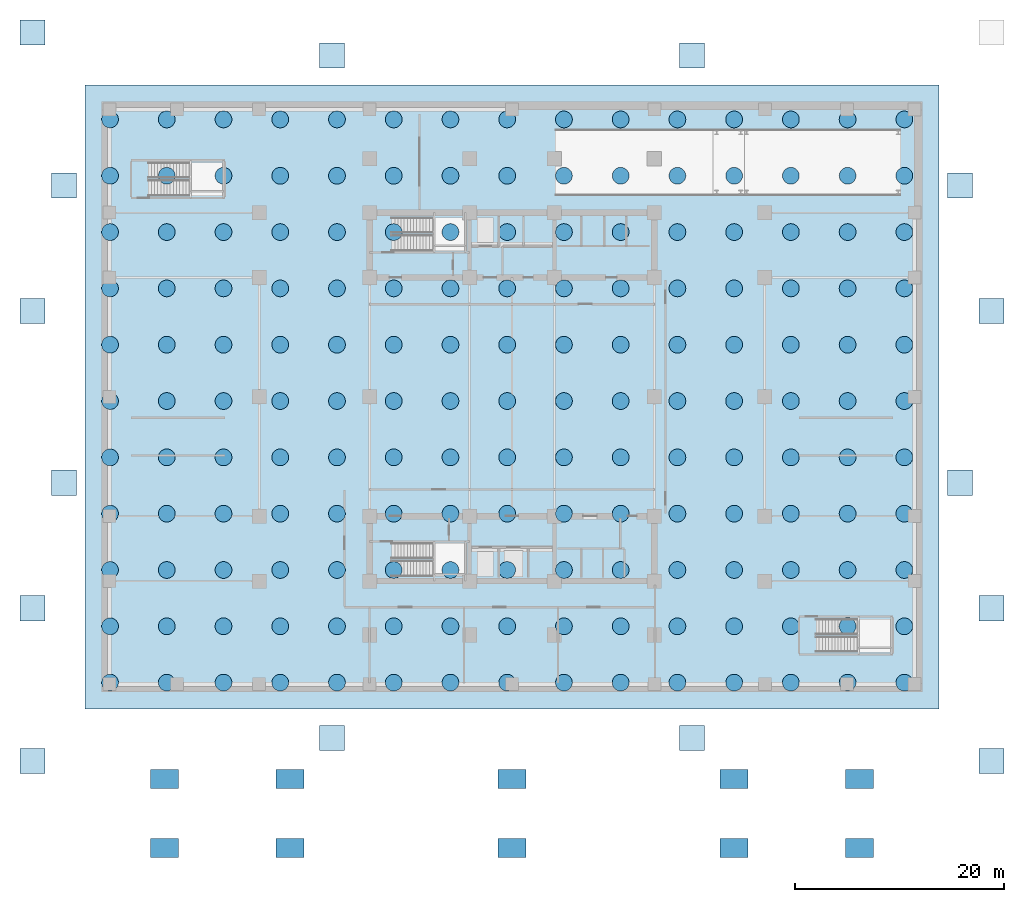
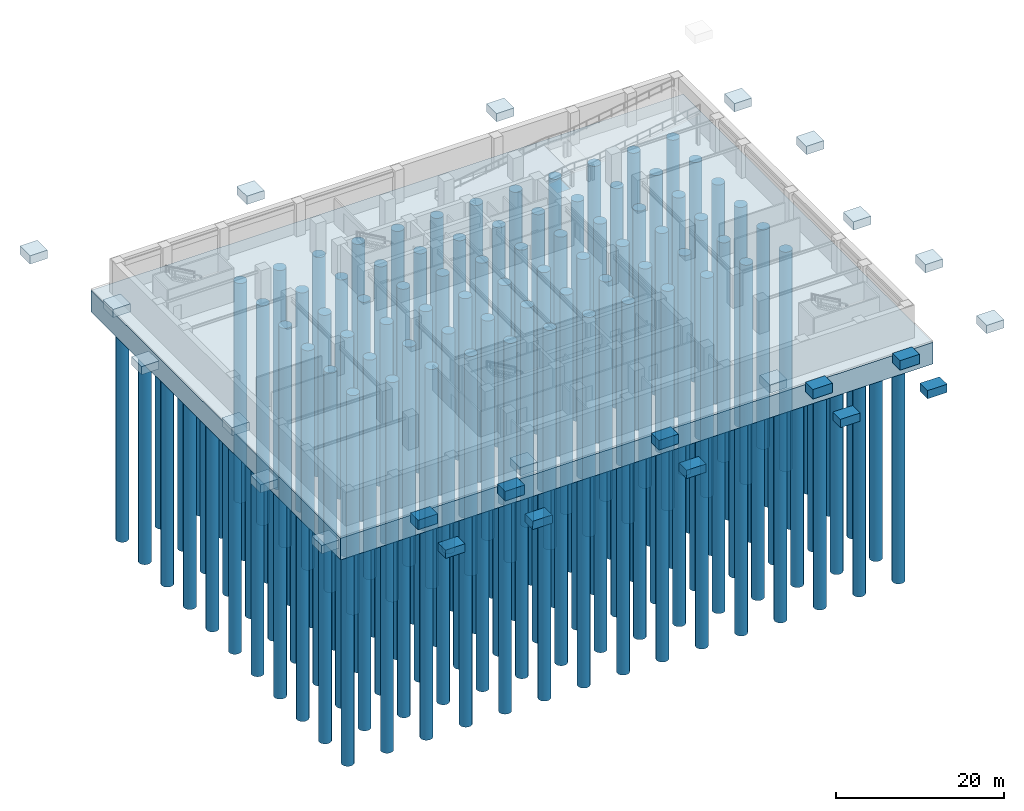
# One storey, part 1 of 13: 165 piles, 26 footings.
"""IFC4 building model written with IfcOpenShell, lengths in metres."""

from ifc_helpers import new_model, si_unit, direction, frame, origin, origin_2d, place, context, subcontext, project, spatial, polyline, circle, outline, extrude, material, material_profile, profile_set, type_object, element, save


model = new_model("IFC4")

# Units and contexts
model_context = context("Model", 3, precision=1e-05, world=origin(), true_north=direction((0.0, 1.0)))
body_context = subcontext(model_context, "Body", "Model", "MODEL_VIEW")
ifc_project = project(units=[si_unit("LENGTHUNIT", "METRE"), si_unit("AREAUNIT", "SQUARE_METRE"), si_unit("VOLUMEUNIT", "CUBIC_METRE"), si_unit("PLANEANGLEUNIT", "RADIAN"), si_unit("MASSUNIT", "GRAM", prefix="KILO")], contexts=[model_context])

# Site, building, storey
site_placement = place(None, origin())
site = spatial("IfcSite", under=ifc_project, at=site_placement, CompositionType="ELEMENT")
building_placement = place(site_placement, origin())
building = spatial("IfcBuilding", under=site, at=building_placement, Name="Svetorya Sky Lyceum", CompositionType="ELEMENT")
storey_placement = place(building_placement, frame((0.0, 0.0, -4.800048828125)))
storey = spatial("IfcBuildingStorey", under=building, at=storey_placement, Name="B01", CompositionType="ELEMENT", Elevation=-4.800048828125)

# Footings
ifc_material_1 = material(Name="Concrete C50/60", Category="concrete")
footing_type_1 = type_object("IfcFootingType", Name="FT-MAT-3400", PredefinedType="PILE_CAP", material=ifc_material_1)
footing_1_placement = place(storey_placement, frame((0.0, 0.0, -3.39990234375)))
element("IfcFooting", 1, at=footing_1_placement, inside=storey, type_object=footing_type_1, Name="Monolithic Piled Mat Cap MAT-1", PredefinedType="PILE_CAP", context=body_context, shape_type="SweptSolid", body=[
    extrude(outline(polyline([(-1.60009765625, -1.60009765625), (80.0, -1.60009765625), (80.0, 58.0), (-1.60009765625, 58.0), (-1.60009765625, -1.60009765625)])), origin(), (0.0, 0.0, 1.0), 3.159912109375),
])
ifc_material_2 = material(Name="Concrete C40/50", Category="concrete")
footing_type_2 = type_object("IfcFootingType", Name="FT-PAD-240", PredefinedType="PAD_FOOTING", material=ifc_material_2)
footing_2_placement = place(storey_placement, frame((0.0, 0.0, 3.420166015625)))
element("IfcFooting", 2, at=footing_2_placement, inside=storey, type_object=footing_type_2, Name="Plaza Frost Support Pad S-1", PredefinedType="PAD_FOOTING", context=body_context, shape_type="SweptSolid", body=[
    extrude(outline(polyline([(-7.800048828125, -7.800048828125), (-5.39990234375, -7.800048828125), (-5.39990234375, -5.39990234375), (-7.800048828125, -5.39990234375), (-7.800048828125, -7.800048828125)])), origin(), (0.0, 0.0, 1.0), 1.199951171875),
])
footing_3_placement = place(storey_placement, frame((0.0, 0.0, 3.420166015625)))
element("IfcFooting", 3, at=footing_3_placement, inside=storey, type_object=footing_type_2, Name="Plaza Frost Support Pad S-2", PredefinedType="PAD_FOOTING", context=body_context, shape_type="SweptSolid", body=[
    extrude(outline(polyline([(20.800048828125, -5.60009765625), (23.199951171875, -5.60009765625), (23.199951171875, -3.199951171875), (20.800048828125, -3.199951171875), (20.800048828125, -5.60009765625)])), origin(), (0.0, 0.0, 1.0), 1.199951171875),
])
footing_4_placement = place(storey_placement, frame((0.0, 0.0, 3.420166015625)))
element("IfcFooting", 4, at=footing_4_placement, inside=storey, type_object=footing_type_2, Name="Plaza Frost Support Pad S-3", PredefinedType="PAD_FOOTING", context=body_context, shape_type="SweptSolid", body=[
    extrude(outline(polyline([(55.199951171875, -5.60009765625), (57.60009765625, -5.60009765625), (57.60009765625, -3.199951171875), (55.199951171875, -3.199951171875), (55.199951171875, -5.60009765625)])), origin(), (0.0, 0.0, 1.0), 1.199951171875),
])
footing_5_placement = place(storey_placement, frame((0.0, 0.0, 3.420166015625)))
element("IfcFooting", 5, at=footing_5_placement, inside=storey, type_object=footing_type_2, Name="Plaza Frost Support Pad S-4", PredefinedType="PAD_FOOTING", context=body_context, shape_type="SweptSolid", body=[
    extrude(outline(polyline([(83.800048828125, -7.800048828125), (86.199951171875, -7.800048828125), (86.199951171875, -5.39990234375), (83.800048828125, -5.39990234375), (83.800048828125, -7.800048828125)])), origin(), (0.0, 0.0, 1.0), 1.199951171875),
])
footing_6_placement = place(storey_placement, frame((0.0, 0.0, 3.420166015625)))
element("IfcFooting", 6, at=footing_6_placement, inside=storey, type_object=footing_type_2, Name="Plaza Frost Support Pad N-1", PredefinedType="PAD_FOOTING", context=body_context, shape_type="SweptSolid", body=[
    extrude(outline(polyline([(-7.800048828125, 61.800048828125), (-5.39990234375, 61.800048828125), (-5.39990234375, 64.199951171875), (-7.800048828125, 64.199951171875), (-7.800048828125, 61.800048828125)])), origin(), (0.0, 0.0, 1.0), 1.199951171875),
])
footing_7_placement = place(storey_placement, frame((0.0, 0.0, 3.420166015625)))
element("IfcFooting", 7, at=footing_7_placement, inside=storey, type_object=footing_type_2, Name="Plaza Frost Support Pad N-2", PredefinedType="PAD_FOOTING", context=body_context, shape_type="SweptSolid", body=[
    extrude(outline(polyline([(20.800048828125, 59.60009765625), (23.199951171875, 59.60009765625), (23.199951171875, 62.0), (20.800048828125, 62.0), (20.800048828125, 59.60009765625)])), origin(), (0.0, 0.0, 1.0), 1.199951171875),
])
footing_8_placement = place(storey_placement, frame((0.0, 0.0, 3.420166015625)))
element("IfcFooting", 8, at=footing_8_placement, inside=storey, type_object=footing_type_2, Name="Plaza Frost Support Pad N-3", PredefinedType="PAD_FOOTING", context=body_context, shape_type="SweptSolid", body=[
    extrude(outline(polyline([(55.199951171875, 59.60009765625), (57.60009765625, 59.60009765625), (57.60009765625, 62.0), (55.199951171875, 62.0), (55.199951171875, 59.60009765625)])), origin(), (0.0, 0.0, 1.0), 1.199951171875),
])
footing_9_placement = place(storey_placement, frame((0.0, 0.0, 3.420166015625)))
element("IfcFooting", 9, at=footing_9_placement, inside=storey, type_object=footing_type_2, Name="Plaza Frost Support Pad W-1", PredefinedType="PAD_FOOTING", context=body_context, shape_type="SweptSolid", body=[
    extrude(outline(polyline([(-7.800048828125, 6.800048828125), (-5.39990234375, 6.800048828125), (-5.39990234375, 9.199951171875), (-7.800048828125, 9.199951171875), (-7.800048828125, 6.800048828125)])), origin(), (0.0, 0.0, 1.0), 1.199951171875),
])
footing_10_placement = place(storey_placement, frame((0.0, 0.0, 3.420166015625)))
element("IfcFooting", 10, at=footing_10_placement, inside=storey, type_object=footing_type_2, Name="Plaza Frost Support Pad W-2", PredefinedType="PAD_FOOTING", context=body_context, shape_type="SweptSolid", body=[
    extrude(outline(polyline([(-4.800048828125, 18.800048828125), (-2.39990234375, 18.800048828125), (-2.39990234375, 21.199951171875), (-4.800048828125, 21.199951171875), (-4.800048828125, 18.800048828125)])), origin(), (0.0, 0.0, 1.0), 1.199951171875),
])
footing_11_placement = place(storey_placement, frame((0.0, 0.0, 3.420166015625)))
element("IfcFooting", 11, at=footing_11_placement, inside=storey, type_object=footing_type_2, Name="Plaza Frost Support Pad W-3", PredefinedType="PAD_FOOTING", context=body_context, shape_type="SweptSolid", body=[
    extrude(outline(polyline([(-7.800048828125, 35.199951171875), (-5.39990234375, 35.199951171875), (-5.39990234375, 37.60009765625), (-7.800048828125, 37.60009765625), (-7.800048828125, 35.199951171875)])), origin(), (0.0, 0.0, 1.0), 1.199951171875),
])
footing_12_placement = place(storey_placement, frame((0.0, 0.0, 3.420166015625)))
element("IfcFooting", 12, at=footing_12_placement, inside=storey, type_object=footing_type_2, Name="Plaza Frost Support Pad W-4", PredefinedType="PAD_FOOTING", context=body_context, shape_type="SweptSolid", body=[
    extrude(outline(polyline([(-4.800048828125, 47.199951171875), (-2.39990234375, 47.199951171875), (-2.39990234375, 49.60009765625), (-4.800048828125, 49.60009765625), (-4.800048828125, 47.199951171875)])), origin(), (0.0, 0.0, 1.0), 1.199951171875),
])
footing_13_placement = place(storey_placement, frame((0.0, 0.0, 3.420166015625)))
element("IfcFooting", 13, at=footing_13_placement, inside=storey, type_object=footing_type_2, Name="Plaza Frost Support Pad E-1", PredefinedType="PAD_FOOTING", context=body_context, shape_type="SweptSolid", body=[
    extrude(outline(polyline([(83.800048828125, 6.800048828125), (86.199951171875, 6.800048828125), (86.199951171875, 9.199951171875), (83.800048828125, 9.199951171875), (83.800048828125, 6.800048828125)])), origin(), (0.0, 0.0, 1.0), 1.199951171875),
])
footing_14_placement = place(storey_placement, frame((0.0, 0.0, 3.420166015625)))
element("IfcFooting", 14, at=footing_14_placement, inside=storey, type_object=footing_type_2, Name="Plaza Frost Support Pad E-2", PredefinedType="PAD_FOOTING", context=body_context, shape_type="SweptSolid", body=[
    extrude(outline(polyline([(80.800048828125, 18.800048828125), (83.199951171875, 18.800048828125), (83.199951171875, 21.199951171875), (80.800048828125, 21.199951171875), (80.800048828125, 18.800048828125)])), origin(), (0.0, 0.0, 1.0), 1.199951171875),
])
footing_15_placement = place(storey_placement, frame((0.0, 0.0, 3.420166015625)))
element("IfcFooting", 15, at=footing_15_placement, inside=storey, type_object=footing_type_2, Name="Plaza Frost Support Pad E-3", PredefinedType="PAD_FOOTING", context=body_context, shape_type="SweptSolid", body=[
    extrude(outline(polyline([(83.800048828125, 35.199951171875), (86.199951171875, 35.199951171875), (86.199951171875, 37.60009765625), (83.800048828125, 37.60009765625), (83.800048828125, 35.199951171875)])), origin(), (0.0, 0.0, 1.0), 1.199951171875),
])
footing_16_placement = place(storey_placement, frame((0.0, 0.0, 3.420166015625)))
element("IfcFooting", 16, at=footing_16_placement, inside=storey, type_object=footing_type_2, Name="Plaza Frost Support Pad E-4", PredefinedType="PAD_FOOTING", context=body_context, shape_type="SweptSolid", body=[
    extrude(outline(polyline([(80.800048828125, 47.199951171875), (83.199951171875, 47.199951171875), (83.199951171875, 49.60009765625), (80.800048828125, 49.60009765625), (80.800048828125, 47.199951171875)])), origin(), (0.0, 0.0, 1.0), 1.199951171875),
])
footing_type_3 = type_object("IfcFootingType", Name="FT-PAD-270A", PredefinedType="PAD_FOOTING", material=ifc_material_2)
footing_17_placement = place(storey_placement, frame((0.0, 0.0, 3.25)))
element("IfcFooting", 17, at=footing_17_placement, inside=storey, type_object=footing_type_3, Name="Approach Ramp Toe Frost Pad PF-2.1", PredefinedType="PAD_FOOTING", context=body_context, shape_type="SweptSolid", body=[
    extrude(outline(polyline([(4.64990234375, -15.800048828125), (7.35009765625, -15.800048828125), (7.35009765625, -14.0), (4.64990234375, -14.0), (4.64990234375, -15.800048828125)])), origin(), (0.0, 0.0, 1.0), 1.199951171875),
])
footing_18_placement = place(storey_placement, frame((0.0, 0.0, 3.25)))
element("IfcFooting", 18, at=footing_18_placement, inside=storey, type_object=footing_type_3, Name="Approach Ramp Toe Frost Pad PF-2.2", PredefinedType="PAD_FOOTING", context=body_context, shape_type="SweptSolid", body=[
    extrude(outline(polyline([(16.64990234375, -15.800048828125), (19.35009765625, -15.800048828125), (19.35009765625, -14.0), (16.64990234375, -14.0), (16.64990234375, -15.800048828125)])), origin(), (0.0, 0.0, 1.0), 1.199951171875),
])
footing_19_placement = place(storey_placement, frame((0.0, 0.0, 3.25)))
element("IfcFooting", 19, at=footing_19_placement, inside=storey, type_object=footing_type_3, Name="Approach Ramp Toe Frost Pad PF-2.3", PredefinedType="PAD_FOOTING", context=body_context, shape_type="SweptSolid", body=[
    extrude(outline(polyline([(37.85009765625, -15.800048828125), (40.550048828125, -15.800048828125), (40.550048828125, -14.0), (37.85009765625, -14.0), (37.85009765625, -15.800048828125)])), origin(), (0.0, 0.0, 1.0), 1.199951171875),
])
footing_20_placement = place(storey_placement, frame((0.0, 0.0, 3.25)))
element("IfcFooting", 20, at=footing_20_placement, inside=storey, type_object=footing_type_3, Name="Approach Ramp Toe Frost Pad PF-2.4", PredefinedType="PAD_FOOTING", context=body_context, shape_type="SweptSolid", body=[
    extrude(outline(polyline([(59.050048828125, -15.800048828125), (61.75, -15.800048828125), (61.75, -14.0), (59.050048828125, -14.0), (59.050048828125, -15.800048828125)])), origin(), (0.0, 0.0, 1.0), 1.199951171875),
])
footing_21_placement = place(storey_placement, frame((0.0, 0.0, 3.25)))
element("IfcFooting", 21, at=footing_21_placement, inside=storey, type_object=footing_type_3, Name="Approach Ramp Toe Frost Pad PF-2.5", PredefinedType="PAD_FOOTING", context=body_context, shape_type="SweptSolid", body=[
    extrude(outline(polyline([(71.050048828125, -15.800048828125), (73.75, -15.800048828125), (73.75, -14.0), (71.050048828125, -14.0), (71.050048828125, -15.800048828125)])), origin(), (0.0, 0.0, 1.0), 1.199951171875),
])
footing_type_4 = type_object("IfcFootingType", Name="FT-PAD-270B", PredefinedType="PAD_FOOTING", material=ifc_material_2)
footing_22_placement = place(storey_placement, frame((0.0, 0.0, 3.420166015625)))
element("IfcFooting", 22, at=footing_22_placement, inside=storey, type_object=footing_type_4, Name="Approach Ramp Head Frost Pad PF-3.1", PredefinedType="PAD_FOOTING", context=body_context, shape_type="SweptSolid", body=[
    extrude(outline(polyline([(4.64990234375, -9.199951171875), (7.35009765625, -9.199951171875), (7.35009765625, -7.39990234375), (4.64990234375, -7.39990234375), (4.64990234375, -9.199951171875)])), origin(), (0.0, 0.0, 1.0), 1.3798828125),
])
footing_23_placement = place(storey_placement, frame((0.0, 0.0, 3.420166015625)))
element("IfcFooting", 23, at=footing_23_placement, inside=storey, type_object=footing_type_4, Name="Approach Ramp Head Frost Pad PF-3.2", PredefinedType="PAD_FOOTING", context=body_context, shape_type="SweptSolid", body=[
    extrude(outline(polyline([(16.64990234375, -9.199951171875), (19.35009765625, -9.199951171875), (19.35009765625, -7.39990234375), (16.64990234375, -7.39990234375), (16.64990234375, -9.199951171875)])), origin(), (0.0, 0.0, 1.0), 1.3798828125),
])
footing_24_placement = place(storey_placement, frame((0.0, 0.0, 3.420166015625)))
element("IfcFooting", 24, at=footing_24_placement, inside=storey, type_object=footing_type_4, Name="Approach Ramp Head Frost Pad PF-3.3", PredefinedType="PAD_FOOTING", context=body_context, shape_type="SweptSolid", body=[
    extrude(outline(polyline([(37.85009765625, -9.199951171875), (40.550048828125, -9.199951171875), (40.550048828125, -7.39990234375), (37.85009765625, -7.39990234375), (37.85009765625, -9.199951171875)])), origin(), (0.0, 0.0, 1.0), 1.3798828125),
])
footing_25_placement = place(storey_placement, frame((0.0, 0.0, 3.420166015625)))
element("IfcFooting", 25, at=footing_25_placement, inside=storey, type_object=footing_type_4, Name="Approach Ramp Head Frost Pad PF-3.4", PredefinedType="PAD_FOOTING", context=body_context, shape_type="SweptSolid", body=[
    extrude(outline(polyline([(59.050048828125, -9.199951171875), (61.75, -9.199951171875), (61.75, -7.39990234375), (59.050048828125, -7.39990234375), (59.050048828125, -9.199951171875)])), origin(), (0.0, 0.0, 1.0), 1.3798828125),
])
footing_26_placement = place(storey_placement, frame((0.0, 0.0, 3.420166015625)))
element("IfcFooting", 26, at=footing_26_placement, inside=storey, type_object=footing_type_4, Name="Approach Ramp Head Frost Pad PF-3.5", PredefinedType="PAD_FOOTING", context=body_context, shape_type="SweptSolid", body=[
    extrude(outline(polyline([(71.050048828125, -9.199951171875), (73.75, -9.199951171875), (73.75, -7.39990234375), (71.050048828125, -7.39990234375), (71.050048828125, -9.199951171875)])), origin(), (0.0, 0.0, 1.0), 1.3798828125),
])

# Piles
ifc_material_profile = material_profile(ifc_material_2, circle(Radius=0.800048828125, at=origin_2d()), Name="RC PILE D1600")
ifc_profile_set = profile_set([ifc_material_profile], Name="Concrete C40/50")
pile_type = type_object("IfcPileType", Name="PL-BORED-1600", PredefinedType="BORED", material=ifc_profile_set)
for number, where, z_axis, x_axis, name in (
    (27, (0.800048828125, 0.89990234375, -3.25), (0.0, 0.0, -1.0), (1.0, 0.0, 0.0), "Bored Pile P-1.001"),
    (28, (6.219970703125, 0.89990234375, -3.25), (0.0, 0.0, -1.0), (1.0, 0.0, 0.0), "Bored Pile P-1.002"),
    (29, (11.639892578125, 0.89990234375, -3.25), (0.0, 0.0, -1.0), (1.0, 0.0, 0.0), "Bored Pile P-1.003"),
    (30, (17.06005859375, 0.89990234375, -3.25), (0.0, 0.0, -1.0), (1.0, 0.0, 0.0), "Bored Pile P-1.004"),
    (31, (22.47998046875, 0.89990234375, -3.25), (0.0, 0.0, -1.0), (1.0, 0.0, 0.0), "Bored Pile P-1.005"),
    (32, (27.89990234375, 0.89990234375, -3.25), (0.0, 0.0, -1.0), (1.0, 0.0, 0.0), "Bored Pile P-1.006"),
    (33, (33.320068359375, 0.89990234375, -3.25), (0.0, 0.0, -1.0), (1.0, 0.0, 0.0), "Bored Pile P-1.007"),
    (34, (38.739990234375, 0.89990234375, -3.25), (0.0, 0.0, -1.0), (1.0, 0.0, 0.0), "Bored Pile P-1.008"),
    (35, (44.159912109375, 0.89990234375, -3.25), (0.0, 0.0, -1.0), (1.0, 0.0, 0.0), "Bored Pile P-1.009"),
    (36, (49.580078125, 0.89990234375, -3.25), (0.0, 0.0, -1.0), (1.0, 0.0, 0.0), "Bored Pile P-1.010"),
    (37, (55.0, 0.89990234375, -3.25), (0.0, 0.0, -1.0), (1.0, 0.0, 0.0), "Bored Pile P-1.011"),
    (38, (60.419921875, 0.89990234375, -3.25), (0.0, 0.0, -1.0), (1.0, 0.0, 0.0), "Bored Pile P-1.012"),
    (39, (65.840087890625, 0.89990234375, -3.25), (0.0, 0.0, -1.0), (1.0, 0.0, 0.0), "Bored Pile P-1.013"),
    (40, (71.260009765625, 0.89990234375, -3.25), (0.0, 0.0, -1.0), (1.0, 0.0, 0.0), "Bored Pile P-1.014"),
    (41, (76.679931640625, 0.89990234375, -3.25), (0.0, 0.0, -1.0), (1.0, 0.0, 0.0), "Bored Pile P-1.015"),
    (42, (0.800048828125, 6.280029296875, -3.25), (0.0, 0.0, -1.0), (1.0, 0.0, 0.0), "Bored Pile P-1.016"),
    (43, (6.219970703125, 6.280029296875, -3.25), (0.0, 0.0, -1.0), (1.0, 0.0, 0.0), "Bored Pile P-1.017"),
    (44, (11.639892578125, 6.280029296875, -3.25), (0.0, 0.0, -1.0), (1.0, 0.0, 0.0), "Bored Pile P-1.018"),
    (45, (17.06005859375, 6.280029296875, -3.25), (0.0, 0.0, -1.0), (1.0, 0.0, 0.0), "Bored Pile P-1.019"),
    (46, (22.47998046875, 6.280029296875, -3.25), (0.0, 0.0, -1.0), (1.0, 0.0, 0.0), "Bored Pile P-1.020"),
    (47, (27.89990234375, 6.280029296875, -3.25), (0.0, 0.0, -1.0), (1.0, 0.0, 0.0), "Bored Pile P-1.021"),
    (48, (33.320068359375, 6.280029296875, -3.25), (0.0, 0.0, -1.0), (1.0, 0.0, 0.0), "Bored Pile P-1.022"),
    (49, (38.739990234375, 6.280029296875, -3.25), (0.0, 0.0, -1.0), (1.0, 0.0, 0.0), "Bored Pile P-1.023"),
    (50, (44.159912109375, 6.280029296875, -3.25), (0.0, 0.0, -1.0), (1.0, 0.0, 0.0), "Bored Pile P-1.024"),
    (51, (49.580078125, 6.280029296875, -3.25), (0.0, 0.0, -1.0), (1.0, 0.0, 0.0), "Bored Pile P-1.025"),
    (52, (55.0, 6.280029296875, -3.25), (0.0, 0.0, -1.0), (1.0, 0.0, 0.0), "Bored Pile P-1.026"),
    (53, (60.419921875, 6.280029296875, -3.25), (0.0, 0.0, -1.0), (1.0, 0.0, 0.0), "Bored Pile P-1.027"),
    (54, (65.840087890625, 6.280029296875, -3.25), (0.0, 0.0, -1.0), (1.0, 0.0, 0.0), "Bored Pile P-1.028"),
    (55, (71.260009765625, 6.280029296875, -3.25), (0.0, 0.0, -1.0), (1.0, 0.0, 0.0), "Bored Pile P-1.029"),
    (56, (76.679931640625, 6.280029296875, -3.25), (0.0, 0.0, -1.0), (1.0, 0.0, 0.0), "Bored Pile P-1.030"),
    (57, (0.800048828125, 11.659912109375, -3.25), (0.0, 0.0, -1.0), (1.0, 0.0, 0.0), "Bored Pile P-1.031"),
    (58, (6.219970703125, 11.659912109375, -3.25), (0.0, 0.0, -1.0), (1.0, 0.0, 0.0), "Bored Pile P-1.032"),
    (59, (11.639892578125, 11.659912109375, -3.25), (0.0, 0.0, -1.0), (1.0, 0.0, 0.0), "Bored Pile P-1.033"),
    (60, (17.06005859375, 11.659912109375, -3.25), (0.0, 0.0, -1.0), (1.0, 0.0, 0.0), "Bored Pile P-1.034"),
    (61, (22.47998046875, 11.659912109375, -3.25), (0.0, 0.0, -1.0), (1.0, 0.0, 0.0), "Bored Pile P-1.035"),
    (62, (27.89990234375, 11.659912109375, -3.25), (0.0, 0.0, -1.0), (1.0, 0.0, 0.0), "Bored Pile P-1.036"),
    (63, (33.320068359375, 11.659912109375, -3.25), (0.0, 0.0, -1.0), (1.0, 0.0, 0.0), "Bored Pile P-1.037"),
    (64, (38.739990234375, 11.659912109375, -3.25), (0.0, 0.0, -1.0), (1.0, 0.0, 0.0), "Bored Pile P-1.038"),
    (65, (44.159912109375, 11.659912109375, -3.25), (0.0, 0.0, -1.0), (1.0, 0.0, 0.0), "Bored Pile P-1.039"),
    (66, (49.580078125, 11.659912109375, -3.25), (0.0, 0.0, -1.0), (1.0, 0.0, 0.0), "Bored Pile P-1.040"),
    (67, (55.0, 11.659912109375, -3.25), (0.0, 0.0, -1.0), (1.0, 0.0, 0.0), "Bored Pile P-1.041"),
    (68, (60.419921875, 11.659912109375, -3.25), (0.0, 0.0, -1.0), (1.0, 0.0, 0.0), "Bored Pile P-1.042"),
    (69, (65.840087890625, 11.659912109375, -3.25), (0.0, 0.0, -1.0), (1.0, 0.0, 0.0), "Bored Pile P-1.043"),
    (70, (71.260009765625, 11.659912109375, -3.25), (0.0, 0.0, -1.0), (1.0, 0.0, 0.0), "Bored Pile P-1.044"),
    (71, (76.679931640625, 11.659912109375, -3.25), (0.0, 0.0, -1.0), (1.0, 0.0, 0.0), "Bored Pile P-1.045"),
    (72, (0.800048828125, 17.0400390625, -3.25), (0.0, 0.0, -1.0), (1.0, 0.0, 0.0), "Bored Pile P-1.046"),
    (73, (6.219970703125, 17.0400390625, -3.25), (0.0, 0.0, -1.0), (1.0, 0.0, 0.0), "Bored Pile P-1.047"),
    (74, (11.639892578125, 17.0400390625, -3.25), (0.0, 0.0, -1.0), (1.0, 0.0, 0.0), "Bored Pile P-1.048"),
    (75, (17.06005859375, 17.0400390625, -3.25), (0.0, 0.0, -1.0), (1.0, 0.0, 0.0), "Bored Pile P-1.049"),
    (76, (22.47998046875, 17.0400390625, -3.25), (0.0, 0.0, -1.0), (1.0, 0.0, 0.0), "Bored Pile P-1.050"),
    (77, (27.89990234375, 17.0400390625, -3.25), (0.0, 0.0, -1.0), (1.0, 0.0, 0.0), "Bored Pile P-1.051"),
    (78, (33.320068359375, 17.0400390625, -3.25), (0.0, 0.0, -1.0), (1.0, 0.0, 0.0), "Bored Pile P-1.052"),
    (79, (38.739990234375, 17.0400390625, -3.25), (0.0, 0.0, -1.0), (1.0, 0.0, 0.0), "Bored Pile P-1.053"),
    (80, (44.159912109375, 17.0400390625, -3.25), (0.0, 0.0, -1.0), (1.0, 0.0, 0.0), "Bored Pile P-1.054"),
    (81, (49.580078125, 17.0400390625, -3.25), (0.0, 0.0, -1.0), (1.0, 0.0, 0.0), "Bored Pile P-1.055"),
    (82, (55.0, 17.0400390625, -3.25), (0.0, 0.0, -1.0), (1.0, 0.0, 0.0), "Bored Pile P-1.056"),
    (83, (60.419921875, 17.0400390625, -3.25), (0.0, 0.0, -1.0), (1.0, 0.0, 0.0), "Bored Pile P-1.057"),
    (84, (65.840087890625, 17.0400390625, -3.25), (0.0, 0.0, -1.0), (1.0, 0.0, 0.0), "Bored Pile P-1.058"),
    (85, (71.260009765625, 17.0400390625, -3.25), (0.0, 0.0, -1.0), (1.0, 0.0, 0.0), "Bored Pile P-1.059"),
    (86, (76.679931640625, 17.0400390625, -3.25), (0.0, 0.0, -1.0), (1.0, 0.0, 0.0), "Bored Pile P-1.060"),
    (87, (0.800048828125, 22.419921875, -3.25), (0.0, 0.0, -1.0), (1.0, 0.0, 0.0), "Bored Pile P-1.061"),
    (88, (6.219970703125, 22.419921875, -3.25), (0.0, 0.0, -1.0), (1.0, 0.0, 0.0), "Bored Pile P-1.062"),
    (89, (11.639892578125, 22.419921875, -3.25), (0.0, 0.0, -1.0), (1.0, 0.0, 0.0), "Bored Pile P-1.063"),
    (90, (17.06005859375, 22.419921875, -3.25), (0.0, 0.0, -1.0), (1.0, 0.0, 0.0), "Bored Pile P-1.064"),
    (91, (22.47998046875, 22.419921875, -3.25), (0.0, 0.0, -1.0), (1.0, 0.0, 0.0), "Bored Pile P-1.065"),
    (92, (27.89990234375, 22.419921875, -3.25), (0.0, 0.0, -1.0), (1.0, 0.0, 0.0), "Bored Pile P-1.066"),
    (93, (33.320068359375, 22.419921875, -3.25), (0.0, 0.0, -1.0), (1.0, 0.0, 0.0), "Bored Pile P-1.067"),
    (94, (38.739990234375, 22.419921875, -3.25), (0.0, 0.0, -1.0), (1.0, 0.0, 0.0), "Bored Pile P-1.068"),
    (95, (44.159912109375, 22.419921875, -3.25), (0.0, 0.0, -1.0), (1.0, 0.0, 0.0), "Bored Pile P-1.069"),
    (96, (49.580078125, 22.419921875, -3.25), (0.0, 0.0, -1.0), (1.0, 0.0, 0.0), "Bored Pile P-1.070"),
    (97, (55.0, 22.419921875, -3.25), (0.0, 0.0, -1.0), (1.0, 0.0, 0.0), "Bored Pile P-1.071"),
    (98, (60.419921875, 22.419921875, -3.25), (0.0, 0.0, -1.0), (1.0, 0.0, 0.0), "Bored Pile P-1.072"),
    (99, (65.840087890625, 22.419921875, -3.25), (0.0, 0.0, -1.0), (1.0, 0.0, 0.0), "Bored Pile P-1.073"),
    (100, (71.260009765625, 22.419921875, -3.25), (0.0, 0.0, -1.0), (1.0, 0.0, 0.0), "Bored Pile P-1.074"),
    (101, (76.679931640625, 22.419921875, -3.25), (0.0, 0.0, -1.0), (1.0, 0.0, 0.0), "Bored Pile P-1.075"),
    (102, (0.800048828125, 27.800048828125, -3.25), (0.0, 0.0, -1.0), (1.0, 0.0, 0.0), "Bored Pile P-1.076"),
    (103, (6.219970703125, 27.800048828125, -3.25), (0.0, 0.0, -1.0), (1.0, 0.0, 0.0), "Bored Pile P-1.077"),
    (104, (11.639892578125, 27.800048828125, -3.25), (0.0, 0.0, -1.0), (1.0, 0.0, 0.0), "Bored Pile P-1.078"),
    (105, (17.06005859375, 27.800048828125, -3.25), (0.0, 0.0, -1.0), (1.0, 0.0, 0.0), "Bored Pile P-1.079"),
    (106, (22.47998046875, 27.800048828125, -3.25), (0.0, 0.0, -1.0), (1.0, 0.0, 0.0), "Bored Pile P-1.080"),
    (107, (27.89990234375, 27.800048828125, -3.25), (0.0, 0.0, -1.0), (1.0, 0.0, 0.0), "Bored Pile P-1.081"),
    (108, (33.320068359375, 27.800048828125, -3.25), (0.0, 0.0, -1.0), (1.0, 0.0, 0.0), "Bored Pile P-1.082"),
    (109, (38.739990234375, 27.800048828125, -3.25), (0.0, 0.0, -1.0), (1.0, 0.0, 0.0), "Bored Pile P-1.083"),
    (110, (44.159912109375, 27.800048828125, -3.25), (0.0, 0.0, -1.0), (1.0, 0.0, 0.0), "Bored Pile P-1.084"),
    (111, (49.580078125, 27.800048828125, -3.25), (0.0, 0.0, -1.0), (1.0, 0.0, 0.0), "Bored Pile P-1.085"),
    (112, (55.0, 27.800048828125, -3.25), (0.0, 0.0, -1.0), (1.0, 0.0, 0.0), "Bored Pile P-1.086"),
    (113, (60.419921875, 27.800048828125, -3.25), (0.0, 0.0, -1.0), (1.0, 0.0, 0.0), "Bored Pile P-1.087"),
    (114, (65.840087890625, 27.800048828125, -3.25), (0.0, 0.0, -1.0), (1.0, 0.0, 0.0), "Bored Pile P-1.088"),
    (115, (71.260009765625, 27.800048828125, -3.25), (0.0, 0.0, -1.0), (1.0, 0.0, 0.0), "Bored Pile P-1.089"),
    (116, (76.679931640625, 27.800048828125, -3.25), (0.0, 0.0, -1.0), (1.0, 0.0, 0.0), "Bored Pile P-1.090"),
    (117, (0.800048828125, 33.179931640625, -3.25), (0.0, 0.0, -1.0), (1.0, 0.0, 0.0), "Bored Pile P-1.091"),
    (118, (6.219970703125, 33.179931640625, -3.25), (0.0, 0.0, -1.0), (1.0, 0.0, 0.0), "Bored Pile P-1.092"),
    (119, (11.639892578125, 33.179931640625, -3.25), (0.0, 0.0, -1.0), (1.0, 0.0, 0.0), "Bored Pile P-1.093"),
    (120, (17.06005859375, 33.179931640625, -3.25), (0.0, 0.0, -1.0), (1.0, 0.0, 0.0), "Bored Pile P-1.094"),
    (121, (22.47998046875, 33.179931640625, -3.25), (0.0, 0.0, -1.0), (1.0, 0.0, 0.0), "Bored Pile P-1.095"),
    (122, (27.89990234375, 33.179931640625, -3.25), (0.0, 0.0, -1.0), (1.0, 0.0, 0.0), "Bored Pile P-1.096"),
    (123, (33.320068359375, 33.179931640625, -3.25), (0.0, 0.0, -1.0), (1.0, 0.0, 0.0), "Bored Pile P-1.097"),
    (124, (38.739990234375, 33.179931640625, -3.25), (0.0, 0.0, -1.0), (1.0, 0.0, 0.0), "Bored Pile P-1.098"),
    (125, (44.159912109375, 33.179931640625, -3.25), (0.0, 0.0, -1.0), (1.0, 0.0, 0.0), "Bored Pile P-1.099"),
    (126, (49.580078125, 33.179931640625, -3.25), (0.0, 0.0, -1.0), (1.0, 0.0, 0.0), "Bored Pile P-1.100"),
    (127, (55.0, 33.179931640625, -3.25), (0.0, 0.0, -1.0), (1.0, 0.0, 0.0), "Bored Pile P-1.101"),
    (128, (60.419921875, 33.179931640625, -3.25), (0.0, 0.0, -1.0), (1.0, 0.0, 0.0), "Bored Pile P-1.102"),
    (129, (65.840087890625, 33.179931640625, -3.25), (0.0, 0.0, -1.0), (1.0, 0.0, 0.0), "Bored Pile P-1.103"),
    (130, (71.260009765625, 33.179931640625, -3.25), (0.0, 0.0, -1.0), (1.0, 0.0, 0.0), "Bored Pile P-1.104"),
    (131, (76.679931640625, 33.179931640625, -3.25), (0.0, 0.0, -1.0), (1.0, 0.0, 0.0), "Bored Pile P-1.105"),
    (132, (0.800048828125, 38.56005859375, -3.25), (0.0, 0.0, -1.0), (1.0, 0.0, 0.0), "Bored Pile P-1.106"),
    (133, (6.219970703125, 38.56005859375, -3.25), (0.0, 0.0, -1.0), (1.0, 0.0, 0.0), "Bored Pile P-1.107"),
    (134, (11.639892578125, 38.56005859375, -3.25), (0.0, 0.0, -1.0), (1.0, 0.0, 0.0), "Bored Pile P-1.108"),
    (135, (17.06005859375, 38.56005859375, -3.25), (0.0, 0.0, -1.0), (1.0, 0.0, 0.0), "Bored Pile P-1.109"),
    (136, (22.47998046875, 38.56005859375, -3.25), (0.0, 0.0, -1.0), (1.0, 0.0, 0.0), "Bored Pile P-1.110"),
    (137, (27.89990234375, 38.56005859375, -3.25), (0.0, 0.0, -1.0), (1.0, 0.0, 0.0), "Bored Pile P-1.111"),
    (138, (33.320068359375, 38.56005859375, -3.25), (0.0, 0.0, -1.0), (1.0, 0.0, 0.0), "Bored Pile P-1.112"),
    (139, (38.739990234375, 38.56005859375, -3.25), (0.0, 0.0, -1.0), (1.0, 0.0, 0.0), "Bored Pile P-1.113"),
    (140, (44.159912109375, 38.56005859375, -3.25), (0.0, 0.0, -1.0), (1.0, 0.0, 0.0), "Bored Pile P-1.114"),
    (141, (49.580078125, 38.56005859375, -3.25), (0.0, 0.0, -1.0), (1.0, 0.0, 0.0), "Bored Pile P-1.115"),
    (142, (55.0, 38.56005859375, -3.25), (0.0, 0.0, -1.0), (1.0, 0.0, 0.0), "Bored Pile P-1.116"),
    (143, (60.419921875, 38.56005859375, -3.25), (0.0, 0.0, -1.0), (1.0, 0.0, 0.0), "Bored Pile P-1.117"),
    (144, (65.840087890625, 38.56005859375, -3.25), (0.0, 0.0, -1.0), (1.0, 0.0, 0.0), "Bored Pile P-1.118"),
    (145, (71.260009765625, 38.56005859375, -3.25), (0.0, 0.0, -1.0), (1.0, 0.0, 0.0), "Bored Pile P-1.119"),
    (146, (76.679931640625, 38.56005859375, -3.25), (0.0, 0.0, -1.0), (1.0, 0.0, 0.0), "Bored Pile P-1.120"),
    (147, (0.800048828125, 43.93994140625, -3.25), (0.0, 0.0, -1.0), (1.0, 0.0, 0.0), "Bored Pile P-1.121"),
    (148, (6.219970703125, 43.93994140625, -3.25), (0.0, 0.0, -1.0), (1.0, 0.0, 0.0), "Bored Pile P-1.122"),
    (149, (11.639892578125, 43.93994140625, -3.25), (0.0, 0.0, -1.0), (1.0, 0.0, 0.0), "Bored Pile P-1.123"),
    (150, (17.06005859375, 43.93994140625, -3.25), (0.0, 0.0, -1.0), (1.0, 0.0, 0.0), "Bored Pile P-1.124"),
    (151, (22.47998046875, 43.93994140625, -3.25), (0.0, 0.0, -1.0), (1.0, 0.0, 0.0), "Bored Pile P-1.125"),
    (152, (27.89990234375, 43.93994140625, -3.25), (0.0, 0.0, -1.0), (1.0, 0.0, 0.0), "Bored Pile P-1.126"),
    (153, (33.320068359375, 43.93994140625, -3.25), (0.0, 0.0, -1.0), (1.0, 0.0, 0.0), "Bored Pile P-1.127"),
    (154, (38.739990234375, 43.93994140625, -3.25), (0.0, 0.0, -1.0), (1.0, 0.0, 0.0), "Bored Pile P-1.128"),
    (155, (44.159912109375, 43.93994140625, -3.25), (0.0, 0.0, -1.0), (1.0, 0.0, 0.0), "Bored Pile P-1.129"),
    (156, (49.580078125, 43.93994140625, -3.25), (0.0, 0.0, -1.0), (1.0, 0.0, 0.0), "Bored Pile P-1.130"),
    (157, (55.0, 43.93994140625, -3.25), (0.0, 0.0, -1.0), (1.0, 0.0, 0.0), "Bored Pile P-1.131"),
    (158, (60.419921875, 43.93994140625, -3.25), (0.0, 0.0, -1.0), (1.0, 0.0, 0.0), "Bored Pile P-1.132"),
    (159, (65.840087890625, 43.93994140625, -3.25), (0.0, 0.0, -1.0), (1.0, 0.0, 0.0), "Bored Pile P-1.133"),
    (160, (71.260009765625, 43.93994140625, -3.25), (0.0, 0.0, -1.0), (1.0, 0.0, 0.0), "Bored Pile P-1.134"),
    (161, (76.679931640625, 43.93994140625, -3.25), (0.0, 0.0, -1.0), (1.0, 0.0, 0.0), "Bored Pile P-1.135"),
    (162, (0.800048828125, 49.320068359375, -3.25), (0.0, 0.0, -1.0), (1.0, 0.0, 0.0), "Bored Pile P-1.136"),
    (163, (6.219970703125, 49.320068359375, -3.25), (0.0, 0.0, -1.0), (1.0, 0.0, 0.0), "Bored Pile P-1.137"),
    (164, (11.639892578125, 49.320068359375, -3.25), (0.0, 0.0, -1.0), (1.0, 0.0, 0.0), "Bored Pile P-1.138"),
    (165, (17.06005859375, 49.320068359375, -3.25), (0.0, 0.0, -1.0), (1.0, 0.0, 0.0), "Bored Pile P-1.139"),
    (166, (22.47998046875, 49.320068359375, -3.25), (0.0, 0.0, -1.0), (1.0, 0.0, 0.0), "Bored Pile P-1.140"),
    (167, (27.89990234375, 49.320068359375, -3.25), (0.0, 0.0, -1.0), (1.0, 0.0, 0.0), "Bored Pile P-1.141"),
    (168, (33.320068359375, 49.320068359375, -3.25), (0.0, 0.0, -1.0), (1.0, 0.0, 0.0), "Bored Pile P-1.142"),
    (169, (38.739990234375, 49.320068359375, -3.25), (0.0, 0.0, -1.0), (1.0, 0.0, 0.0), "Bored Pile P-1.143"),
    (170, (44.159912109375, 49.320068359375, -3.25), (0.0, 0.0, -1.0), (1.0, 0.0, 0.0), "Bored Pile P-1.144"),
    (171, (49.580078125, 49.320068359375, -3.25), (0.0, 0.0, -1.0), (1.0, 0.0, 0.0), "Bored Pile P-1.145"),
    (172, (55.0, 49.320068359375, -3.25), (0.0, 0.0, -1.0), (1.0, 0.0, 0.0), "Bored Pile P-1.146"),
    (173, (60.419921875, 49.320068359375, -3.25), (0.0, 0.0, -1.0), (1.0, 0.0, 0.0), "Bored Pile P-1.147"),
    (174, (65.840087890625, 49.320068359375, -3.25), (0.0, 0.0, -1.0), (1.0, 0.0, 0.0), "Bored Pile P-1.148"),
    (175, (71.260009765625, 49.320068359375, -3.25), (0.0, 0.0, -1.0), (1.0, 0.0, 0.0), "Bored Pile P-1.149"),
    (176, (76.679931640625, 49.320068359375, -3.25), (0.0, 0.0, -1.0), (1.0, 0.0, 0.0), "Bored Pile P-1.150"),
    (177, (0.800048828125, 54.699951171875, -3.25), (0.0, 0.0, -1.0), (1.0, 0.0, 0.0), "Bored Pile P-1.151"),
    (178, (6.219970703125, 54.699951171875, -3.25), (0.0, 0.0, -1.0), (1.0, 0.0, 0.0), "Bored Pile P-1.152"),
    (179, (11.639892578125, 54.699951171875, -3.25), (0.0, 0.0, -1.0), (1.0, 0.0, 0.0), "Bored Pile P-1.153"),
    (180, (17.06005859375, 54.699951171875, -3.25), (0.0, 0.0, -1.0), (1.0, 0.0, 0.0), "Bored Pile P-1.154"),
    (181, (22.47998046875, 54.699951171875, -3.25), (0.0, 0.0, -1.0), (1.0, 0.0, 0.0), "Bored Pile P-1.155"),
    (182, (27.89990234375, 54.699951171875, -3.25), (0.0, 0.0, -1.0), (1.0, 0.0, 0.0), "Bored Pile P-1.156"),
    (183, (33.320068359375, 54.699951171875, -3.25), (0.0, 0.0, -1.0), (1.0, 0.0, 0.0), "Bored Pile P-1.157"),
    (184, (38.739990234375, 54.699951171875, -3.25), (0.0, 0.0, -1.0), (1.0, 0.0, 0.0), "Bored Pile P-1.158"),
    (185, (44.159912109375, 54.699951171875, -3.25), (0.0, 0.0, -1.0), (1.0, 0.0, 0.0), "Bored Pile P-1.159"),
    (186, (49.580078125, 54.699951171875, -3.25), (0.0, 0.0, -1.0), (1.0, 0.0, 0.0), "Bored Pile P-1.160"),
    (187, (55.0, 54.699951171875, -3.25), (0.0, 0.0, -1.0), (1.0, 0.0, 0.0), "Bored Pile P-1.161"),
    (188, (60.419921875, 54.699951171875, -3.25), (0.0, 0.0, -1.0), (1.0, 0.0, 0.0), "Bored Pile P-1.162"),
    (189, (65.840087890625, 54.699951171875, -3.25), (0.0, 0.0, -1.0), (1.0, 0.0, 0.0), "Bored Pile P-1.163"),
    (190, (71.260009765625, 54.699951171875, -3.25), (0.0, 0.0, -1.0), (1.0, 0.0, 0.0), "Bored Pile P-1.164"),
    (191, (76.679931640625, 54.699951171875, -3.25), (0.0, 0.0, -1.0), (1.0, 0.0, 0.0), "Bored Pile P-1.165"),
):
    element("IfcPile", number, at=place(storey_placement, frame(where, z_axis=z_axis, x_axis=x_axis)), inside=storey, type_object=pile_type, Name=name, PredefinedType="BORED", context=body_context, shape_type="SweptSolid", body=[
        extrude(circle(Radius=0.800048828125, at=origin_2d()), origin(), (0.0, 0.0, 1.0), 32.0),
    ])

save(model, "model.ifc")
